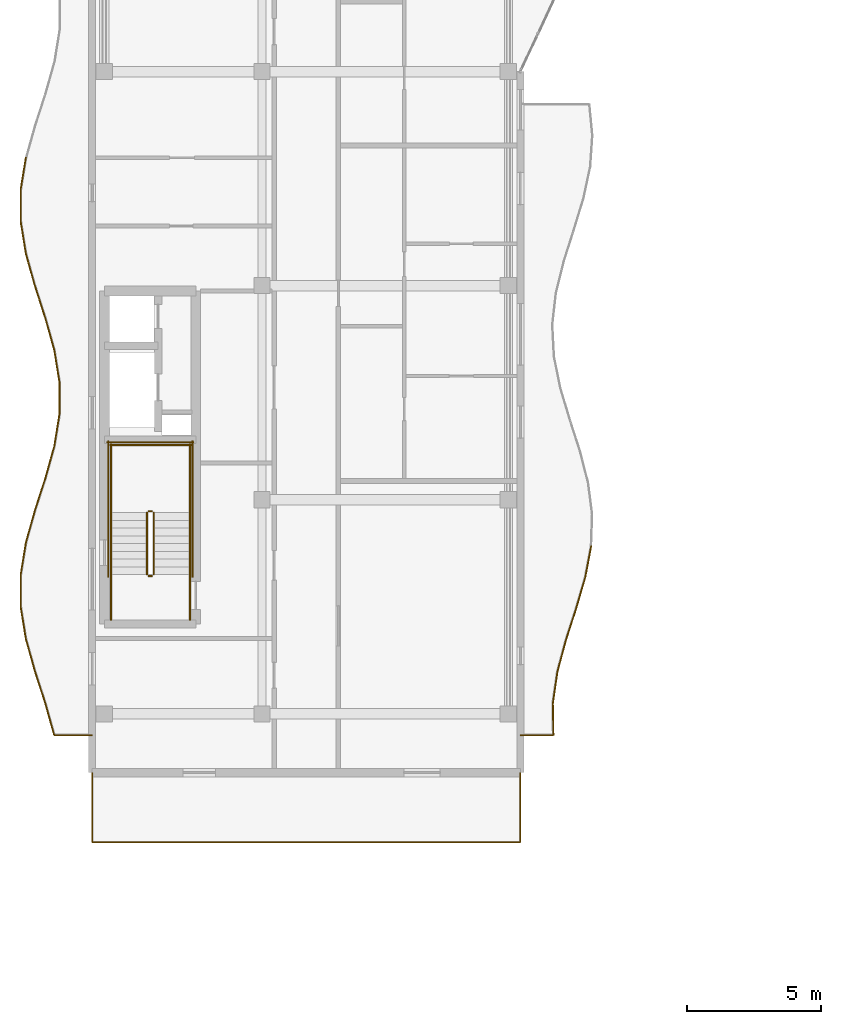
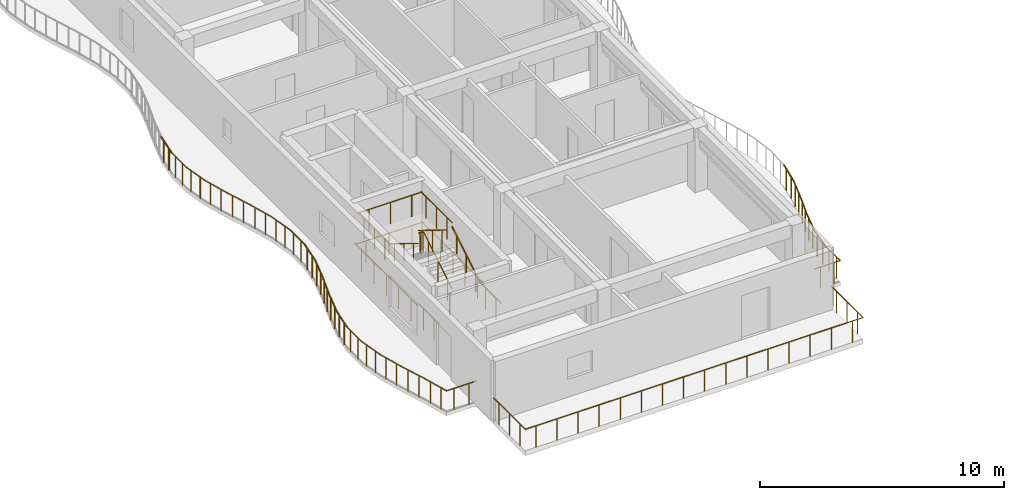
# One storey, part 48 of 71: 43 railings.
"""IFC4 building model written with IfcOpenShell, lengths in metres."""

from ifc_helpers import new_model, si_unit, direction, frame, origin, origin_2d, place, context, subcontext, project, spatial, circle, extrude, material, type_object, element, save


model = new_model("IFC4")

# Units and contexts
model_context = context("Model", 3, precision=1e-05, world=origin(), true_north=direction((0.0, 1.0)))
body_context = subcontext(model_context, "Body", "Model", "MODEL_VIEW")
ifc_project = project(units=[si_unit("LENGTHUNIT", "METRE"), si_unit("AREAUNIT", "SQUARE_METRE"), si_unit("VOLUMEUNIT", "CUBIC_METRE"), si_unit("PLANEANGLEUNIT", "RADIAN"), si_unit("MASSUNIT", "GRAM", prefix="KILO")], contexts=[model_context])

# Site, building, storey
site_placement = place(None, origin())
site = spatial("IfcSite", under=ifc_project, at=site_placement, CompositionType="ELEMENT")
building_placement = place(site_placement, origin())
building = spatial("IfcBuilding", under=site, at=building_placement, Name="Keldmere Railside Commons", CompositionType="ELEMENT")
storey_placement = place(building_placement, frame((0.0, 0.0, 20.159912109375)))
storey = spatial("IfcBuildingStorey", under=building, at=storey_placement, Name="L06", CompositionType="ELEMENT", Elevation=20.159912109375)

# Railings
ifc_material = material(Name="Steel F-24 (S235)", Category="steel")
railing_type_1 = type_object("IfcRailingType", Name="Balcony & Terrace Steel Balustrade 1100", PredefinedType="BALUSTRADE", material=ifc_material)
railing_1_placement = place(storey_placement, frame((24.0, 63.199951171875, 0.0)))
element("IfcRailing", 1, at=railing_1_placement, inside=storey, type_object=railing_type_1, Name="GR-1 GRD-L06-0612", PredefinedType="BALUSTRADE", context=body_context, shape_type="SweptSolid", body=[
    extrude(circle(Radius=0.02392578125, at=origin_2d()), frame((0.0, 0.0, 1.076171875), z_axis=(1.0, 0.0, 0.0), x_axis=(0.0, 1.0, 0.0)), (0.0, 0.0, 1.0), 1.236328125),
    extrude(circle(Radius=0.02099609375, at=origin_2d()), frame((0.30908203125, 0.0, 0.0)), (0.0, 0.0, 1.0), 1.048095703125),
    extrude(circle(Radius=0.02099609375, at=origin_2d()), frame((0.92724609375, 0.0, 0.0)), (0.0, 0.0, 1.0), 1.048095703125),
])
railing_2_placement = place(storey_placement, frame((25.236328125, 63.199951171875, 0.0)))
element("IfcRailing", 2, at=railing_2_placement, inside=storey, type_object=railing_type_1, Name="GR-1 GRD-L06-0613", PredefinedType="BALUSTRADE", context=body_context, shape_type="SweptSolid", body=[
    extrude(circle(Radius=0.02392578125, at=origin_2d()), frame((0.0, 0.0, 1.076171875), z_axis=(-0.01779151413, 0.999841718486, 0.0), x_axis=(-0.999841718486, -0.01779151413, 0.0)), (0.0, 0.0, 1.0), 1.18017578125),
    extrude(circle(Radius=0.02099609375, at=origin_2d()), frame((-0.00537109375, 0.294921875, 0.0)), (0.0, 0.0, 1.0), 1.048095703125),
    extrude(circle(Radius=0.02099609375, at=origin_2d()), frame((-0.015625, 0.885009765625, 0.0)), (0.0, 0.0, 1.0), 1.048095703125),
])
railing_3_placement = place(storey_placement, frame((25.21533203125, 64.3798828125, 0.0)))
element("IfcRailing", 3, at=railing_3_placement, inside=storey, type_object=railing_type_1, Name="GR-1 GRD-L06-0614", PredefinedType="BALUSTRADE", context=body_context, shape_type="SweptSolid", body=[
    extrude(circle(Radius=0.02392578125, at=origin_2d()), frame((0.0, 0.0, 1.076171875), z_axis=(0.142109344267, 0.989850965687, 0.0), x_axis=(-0.989850965687, 0.142109344267, 0.0)), (0.0, 0.0, 1.0), 1.1923828125),
    extrude(circle(Radius=0.02099609375, at=origin_2d()), frame((0.04248046875, 0.294921875, 0.0)), (0.0, 0.0, 1.0), 1.048095703125),
    extrude(circle(Radius=0.02099609375, at=origin_2d()), frame((0.126953125, 0.88525390625, 0.0)), (0.0, 0.0, 1.0), 1.048095703125),
])
railing_4_placement = place(storey_placement, frame((25.384765625, 65.56005859375, 0.0)))
element("IfcRailing", 4, at=railing_4_placement, inside=storey, type_object=railing_type_1, Name="GR-1 GRD-L06-0615", PredefinedType="BALUSTRADE", context=body_context, shape_type="SweptSolid", body=[
    extrude(circle(Radius=0.02392578125, at=origin_2d()), frame((0.0, 0.0, 1.076171875), z_axis=(0.25881933469, 0.965925748694, 0.0), x_axis=(-0.965925748694, 0.25881933469, 0.0)), (0.0, 0.0, 1.0), 1.221435546875),
    extrude(circle(Radius=0.02099609375, at=origin_2d()), frame((0.0791015625, 0.294921875, 0.0)), (0.0, 0.0, 1.0), 1.048095703125),
    extrude(circle(Radius=0.02099609375, at=origin_2d()), frame((0.237060546875, 0.885009765625, 0.0)), (0.0, 0.0, 1.0), 1.048095703125),
])
railing_5_placement = place(storey_placement, frame((25.700927734375, 66.739990234375, 0.0)))
element("IfcRailing", 5, at=railing_5_placement, inside=storey, type_object=railing_type_1, Name="GR-1 GRD-L06-0616", PredefinedType="BALUSTRADE", context=body_context, shape_type="SweptSolid", body=[
    extrude(circle(Radius=0.02392578125, at=origin_2d()), frame((0.0, 0.0, 1.076171875), z_axis=(0.306997026387, 0.951710473721, 0.0), x_axis=(-0.951710473721, 0.306997026387, 0.0)), (0.0, 0.0, 1.0), 1.23974609375),
    extrude(circle(Radius=0.02099609375, at=origin_2d()), frame((0.09521484375, 0.294921875, 0.0)), (0.0, 0.0, 1.0), 1.048095703125),
    extrude(circle(Radius=0.02099609375, at=origin_2d()), frame((0.285400390625, 0.885009765625, 0.0)), (0.0, 0.0, 1.0), 1.048095703125),
])
railing_6_placement = place(storey_placement, frame((26.08154296875, 67.919921875, 0.0)))
element("IfcRailing", 6, at=railing_6_placement, inside=storey, type_object=railing_type_1, Name="GR-1 GRD-L06-0617", PredefinedType="BALUSTRADE", context=body_context, shape_type="SweptSolid", body=[
    extrude(circle(Radius=0.02392578125, at=origin_2d()), frame((0.0, 0.0, 1.076171875), z_axis=(0.281661203033, 0.959513922101, 0.0), x_axis=(-0.959513922101, 0.281661203033, 0.0)), (0.0, 0.0, 1.0), 1.22998046875),
    extrude(circle(Radius=0.02099609375, at=origin_2d()), frame((0.086669921875, 0.294921875, 0.0)), (0.0, 0.0, 1.0), 1.048095703125),
    extrude(circle(Radius=0.02099609375, at=origin_2d()), frame((0.259765625, 0.88525390625, 0.0)), (0.0, 0.0, 1.0), 1.048095703125),
])
railing_7_placement = place(storey_placement, frame((26.427978515625, 69.10009765625, 0.0)))
element("IfcRailing", 7, at=railing_7_placement, inside=storey, type_object=railing_type_1, Name="GR-1 GRD-L06-0618", PredefinedType="BALUSTRADE", context=body_context, shape_type="SweptSolid", body=[
    extrude(circle(Radius=0.02392578125, at=origin_2d()), frame((0.0, 0.0, 1.076171875), z_axis=(0.185430085532, 0.98265745984, 0.0), x_axis=(-0.98265745984, 0.185430085532, 0.0)), (0.0, 0.0, 1.0), 1.20068359375),
    extrude(circle(Radius=0.02099609375, at=origin_2d()), frame((0.0556640625, 0.294921875, 0.0)), (0.0, 0.0, 1.0), 1.048095703125),
    extrude(circle(Radius=0.02099609375, at=origin_2d()), frame((0.1669921875, 0.885009765625, 0.0)), (0.0, 0.0, 1.0), 1.048095703125),
])
railing_8_placement = place(storey_placement, frame((8.0, 63.199951171875, 0.0)))
element("IfcRailing", 8, at=railing_8_placement, inside=storey, type_object=railing_type_1, Name="GR-1 GRD-L06-0634", PredefinedType="BALUSTRADE", context=body_context, shape_type="SweptSolid", body=[
    extrude(circle(Radius=0.02392578125, at=origin_2d()), frame((0.0, 0.0, 1.076171875), z_axis=(-1.0, 0.0, 0.0), x_axis=(0.0, -1.0, 0.0)), (0.0, 0.0, 1.0), 1.4208984375),
    extrude(circle(Radius=0.02099609375, at=origin_2d()), frame((-0.355224609375, 0.0, 0.0)), (0.0, 0.0, 1.0), 1.048095703125),
    extrude(circle(Radius=0.02099609375, at=origin_2d()), frame((-1.065673828125, 0.0, 0.0)), (0.0, 0.0, 1.0), 1.048095703125),
])
railing_9_placement = place(storey_placement, frame((6.5791015625, 63.199951171875, 0.0)))
element("IfcRailing", 9, at=railing_9_placement, inside=storey, type_object=railing_type_1, Name="GR-1 GRD-L06-0635", PredefinedType="BALUSTRADE", context=body_context, shape_type="SweptSolid", body=[
    extrude(circle(Radius=0.02392578125, at=origin_2d()), frame((0.0, 0.0, 1.076171875), z_axis=(-0.270138516063, 0.962821469505, 0.0), x_axis=(-0.962821469505, -0.270138516063, 0.0)), (0.0, 0.0, 1.0), 1.246337890625),
    extrude(circle(Radius=0.02099609375, at=origin_2d()), frame((-0.084228515625, 0.300048828125, 0.0)), (0.0, 0.0, 1.0), 1.048095703125),
    extrude(circle(Radius=0.02099609375, at=origin_2d()), frame((-0.25244140625, 0.89990234375, 0.0)), (0.0, 0.0, 1.0), 1.048095703125),
])
railing_10_placement = place(storey_placement, frame((6.242431640625, 64.39990234375, 0.0)))
element("IfcRailing", 10, at=railing_10_placement, inside=storey, type_object=railing_type_1, Name="GR-1 GRD-L06-0636", PredefinedType="BALUSTRADE", context=body_context, shape_type="SweptSolid", body=[
    extrude(circle(Radius=0.02392578125, at=origin_2d()), frame((0.0, 0.0, 1.076171875), z_axis=(-0.307737834048, 0.95147119005, 0.0), x_axis=(-0.95147119005, -0.307737834048, 0.0)), (0.0, 0.0, 1.0), 1.261474609375),
    extrude(circle(Radius=0.02099609375, at=origin_2d()), frame((-0.09716796875, 0.300048828125, 0.0)), (0.0, 0.0, 1.0), 1.048095703125),
    extrude(circle(Radius=0.02099609375, at=origin_2d()), frame((-0.291015625, 0.900146484375, 0.0)), (0.0, 0.0, 1.0), 1.048095703125),
])
railing_11_placement = place(storey_placement, frame((5.854248046875, 65.60009765625, 0.0)))
element("IfcRailing", 11, at=railing_11_placement, inside=storey, type_object=railing_type_1, Name="GR-1 GRD-L06-0637", PredefinedType="BALUSTRADE", context=body_context, shape_type="SweptSolid", body=[
    extrude(circle(Radius=0.02392578125, at=origin_2d()), frame((0.0, 0.0, 1.076171875), z_axis=(-0.269411889025, 0.963025043315, 0.0), x_axis=(-0.963025043315, -0.269411889025, 0.0)), (0.0, 0.0, 1.0), 1.24609375),
    extrude(circle(Radius=0.02099609375, at=origin_2d()), frame((-0.083984375, 0.300048828125, 0.0)), (0.0, 0.0, 1.0), 1.048095703125),
    extrude(circle(Radius=0.02099609375, at=origin_2d()), frame((-0.251708984375, 0.89990234375, 0.0)), (0.0, 0.0, 1.0), 1.048095703125),
])
railing_12_placement = place(storey_placement, frame((5.5185546875, 66.800048828125, 0.0)))
element("IfcRailing", 12, at=railing_12_placement, inside=storey, type_object=railing_type_1, Name="GR-1 GRD-L06-0638", PredefinedType="BALUSTRADE", context=body_context, shape_type="SweptSolid", body=[
    extrude(circle(Radius=0.02392578125, at=origin_2d()), frame((0.0, 0.0, 1.076171875), z_axis=(-0.159087184931, 0.987264537797, 0.0), x_axis=(-0.987264537797, -0.159087184931, 0.0)), (0.0, 0.0, 1.0), 1.21533203125),
    extrude(circle(Radius=0.02099609375, at=origin_2d()), frame((-0.04833984375, 0.300048828125, 0.0)), (0.0, 0.0, 1.0), 1.048095703125),
    extrude(circle(Radius=0.02099609375, at=origin_2d()), frame((-0.14501953125, 0.89990234375, 0.0)), (0.0, 0.0, 1.0), 1.048095703125),
])
railing_13_placement = place(storey_placement, frame((5.3251953125, 68.0, 0.0)))
element("IfcRailing", 13, at=railing_13_placement, inside=storey, type_object=railing_type_1, Name="GR-1 GRD-L06-0639", PredefinedType="BALUSTRADE", context=body_context, shape_type="SweptSolid", body=[
    extrude(circle(Radius=0.02392578125, at=origin_2d()), frame((0.0, 0.0, 1.076171875), z_axis=(0.000610376285, 0.99999981372, 0.0), x_axis=(-0.99999981372, 0.000610376285, 0.0)), (0.0, 0.0, 1.0), 1.199951171875),
    extrude(circle(Radius=0.02099609375, at=origin_2d()), frame((0.000244140625, 0.300048828125, 0.0)), (0.0, 0.0, 1.0), 1.048095703125),
    extrude(circle(Radius=0.02099609375, at=origin_2d()), frame((0.00048828125, 0.89990234375, 0.0)), (0.0, 0.0, 1.0), 1.048095703125),
])
railing_14_placement = place(storey_placement, frame((5.325927734375, 69.199951171875, 0.0)))
element("IfcRailing", 14, at=railing_14_placement, inside=storey, type_object=railing_type_1, Name="GR-1 GRD-L06-0640", PredefinedType="BALUSTRADE", context=body_context, shape_type="SweptSolid", body=[
    extrude(circle(Radius=0.02392578125, at=origin_2d()), frame((0.0, 0.0, 1.076171875), z_axis=(0.160261550054, 0.987074584606, 0.0), x_axis=(-0.987074584606, 0.160261550054, 0.0)), (0.0, 0.0, 1.0), 1.215576171875),
    extrude(circle(Radius=0.02099609375, at=origin_2d()), frame((0.048828125, 0.300048828125, 0.0)), (0.0, 0.0, 1.0), 1.048095703125),
    extrude(circle(Radius=0.02099609375, at=origin_2d()), frame((0.14599609375, 0.89990234375, 0.0)), (0.0, 0.0, 1.0), 1.048095703125),
])
railing_15_placement = place(storey_placement, frame((5.520751953125, 70.39990234375, 0.0)))
element("IfcRailing", 15, at=railing_15_placement, inside=storey, type_object=railing_type_1, Name="GR-1 GRD-L06-0641", PredefinedType="BALUSTRADE", context=body_context, shape_type="SweptSolid", body=[
    extrude(circle(Radius=0.02392578125, at=origin_2d()), frame((0.0, 0.0, 1.076171875), z_axis=(0.270087574081, 0.962835760827, 0.0), x_axis=(-0.962835760827, 0.270087574081, 0.0)), (0.0, 0.0, 1.0), 1.24658203125),
    extrude(circle(Radius=0.02099609375, at=origin_2d()), frame((0.084228515625, 0.300048828125, 0.0)), (0.0, 0.0, 1.0), 1.048095703125),
    extrude(circle(Radius=0.02099609375, at=origin_2d()), frame((0.25244140625, 0.900146484375, 0.0)), (0.0, 0.0, 1.0), 1.048095703125),
])
railing_16_placement = place(storey_placement, frame((5.857421875, 71.60009765625, 0.0)))
element("IfcRailing", 16, at=railing_16_placement, inside=storey, type_object=railing_type_1, Name="GR-1 GRD-L06-0642", PredefinedType="BALUSTRADE", context=body_context, shape_type="SweptSolid", body=[
    extrude(circle(Radius=0.02392578125, at=origin_2d()), frame((0.0, 0.0, 1.076171875), z_axis=(0.307794514865, 0.9514528557, 0.0), x_axis=(-0.9514528557, 0.307794514865, 0.0)), (0.0, 0.0, 1.0), 1.26123046875),
    extrude(circle(Radius=0.02099609375, at=origin_2d()), frame((0.09716796875, 0.300048828125, 0.0)), (0.0, 0.0, 1.0), 1.048095703125),
    extrude(circle(Radius=0.02099609375, at=origin_2d()), frame((0.291015625, 0.89990234375, 0.0)), (0.0, 0.0, 1.0), 1.048095703125),
])
railing_17_placement = place(storey_placement, frame((6.24560546875, 72.800048828125, 0.0)))
element("IfcRailing", 17, at=railing_17_placement, inside=storey, type_object=railing_type_1, Name="GR-1 GRD-L06-0643", PredefinedType="BALUSTRADE", context=body_context, shape_type="SweptSolid", body=[
    extrude(circle(Radius=0.02392578125, at=origin_2d()), frame((0.0, 0.0, 1.076171875), z_axis=(0.269593588983, 0.962974193205, 0.0), x_axis=(-0.962974193205, 0.269593588983, 0.0)), (0.0, 0.0, 1.0), 1.24609375),
    extrude(circle(Radius=0.02099609375, at=origin_2d()), frame((0.083984375, 0.300048828125, 0.0)), (0.0, 0.0, 1.0), 1.048095703125),
    extrude(circle(Radius=0.02099609375, at=origin_2d()), frame((0.251953125, 0.89990234375, 0.0)), (0.0, 0.0, 1.0), 1.048095703125),
])
railing_18_placement = place(storey_placement, frame((6.58154296875, 74.0, 0.0)))
element("IfcRailing", 18, at=railing_18_placement, inside=storey, type_object=railing_type_1, Name="GR-1 GRD-L06-0644", PredefinedType="BALUSTRADE", context=body_context, shape_type="SweptSolid", body=[
    extrude(circle(Radius=0.02392578125, at=origin_2d()), frame((0.0, 0.0, 1.076171875), z_axis=(0.159087184931, 0.987264537797, 0.0), x_axis=(-0.987264537797, 0.159087184931, 0.0)), (0.0, 0.0, 1.0), 1.21533203125),
    extrude(circle(Radius=0.02099609375, at=origin_2d()), frame((0.04833984375, 0.300048828125, 0.0)), (0.0, 0.0, 1.0), 1.048095703125),
    extrude(circle(Radius=0.02099609375, at=origin_2d()), frame((0.14501953125, 0.89990234375, 0.0)), (0.0, 0.0, 1.0), 1.048095703125),
])
railing_19_placement = place(storey_placement, frame((6.77490234375, 75.199951171875, 0.0)))
element("IfcRailing", 19, at=railing_19_placement, inside=storey, type_object=railing_type_1, Name="GR-1 GRD-L06-0645", PredefinedType="BALUSTRADE", context=body_context, shape_type="SweptSolid", body=[
    extrude(circle(Radius=0.02392578125, at=origin_2d()), frame((0.0, 0.0, 1.076171875), z_axis=(-0.000813834929, 0.999999668836, 0.0), x_axis=(-0.999999668836, -0.000813834929, 0.0)), (0.0, 0.0, 1.0), 1.199951171875),
    extrude(circle(Radius=0.02099609375, at=origin_2d()), frame((-0.000244140625, 0.300048828125, 0.0)), (0.0, 0.0, 1.0), 1.048095703125),
    extrude(circle(Radius=0.02099609375, at=origin_2d()), frame((-0.000732421875, 0.89990234375, 0.0)), (0.0, 0.0, 1.0), 1.048095703125),
])
railing_20_placement = place(storey_placement, frame((6.77392578125, 76.39990234375, 0.0)))
element("IfcRailing", 20, at=railing_20_placement, inside=storey, type_object=railing_type_1, Name="GR-1 GRD-L06-0646", PredefinedType="BALUSTRADE", context=body_context, shape_type="SweptSolid", body=[
    extrude(circle(Radius=0.02392578125, at=origin_2d()), frame((0.0, 0.0, 1.076171875), z_axis=(-0.160229787106, 0.987079741117, 0.0), x_axis=(-0.987079741117, -0.160229787106, 0.0)), (0.0, 0.0, 1.0), 1.2158203125),
    extrude(circle(Radius=0.02099609375, at=origin_2d()), frame((-0.048828125, 0.300048828125, 0.0)), (0.0, 0.0, 1.0), 1.048095703125),
    extrude(circle(Radius=0.02099609375, at=origin_2d()), frame((-0.14599609375, 0.900146484375, 0.0)), (0.0, 0.0, 1.0), 1.048095703125),
])
railing_21_placement = place(storey_placement, frame((6.5791015625, 77.60009765625, 0.0)))
element("IfcRailing", 21, at=railing_21_placement, inside=storey, type_object=railing_type_1, Name="GR-1 GRD-L06-0647", PredefinedType="BALUSTRADE", context=body_context, shape_type="SweptSolid", body=[
    extrude(circle(Radius=0.02392578125, at=origin_2d()), frame((0.0, 0.0, 1.076171875), z_axis=(-0.270138516063, 0.962821469505, 0.0), x_axis=(-0.962821469505, -0.270138516063, 0.0)), (0.0, 0.0, 1.0), 1.246337890625),
    extrude(circle(Radius=0.02099609375, at=origin_2d()), frame((-0.084228515625, 0.300048828125, 0.0)), (0.0, 0.0, 1.0), 1.048095703125),
    extrude(circle(Radius=0.02099609375, at=origin_2d()), frame((-0.25244140625, 0.89990234375, 0.0)), (0.0, 0.0, 1.0), 1.048095703125),
])
railing_22_placement = place(storey_placement, frame((6.242431640625, 78.800048828125, 0.0)))
element("IfcRailing", 22, at=railing_22_placement, inside=storey, type_object=railing_type_1, Name="GR-1 GRD-L06-0648", PredefinedType="BALUSTRADE", context=body_context, shape_type="SweptSolid", body=[
    extrude(circle(Radius=0.02392578125, at=origin_2d()), frame((0.0, 0.0, 1.076171875), z_axis=(-0.307794514865, 0.9514528557, 0.0), x_axis=(-0.9514528557, -0.307794514865, 0.0)), (0.0, 0.0, 1.0), 1.26123046875),
    extrude(circle(Radius=0.02099609375, at=origin_2d()), frame((-0.09716796875, 0.300048828125, 0.0)), (0.0, 0.0, 1.0), 1.048095703125),
    extrude(circle(Radius=0.02099609375, at=origin_2d()), frame((-0.291015625, 0.89990234375, 0.0)), (0.0, 0.0, 1.0), 1.048095703125),
])
railing_23_placement = place(storey_placement, frame((5.854248046875, 80.0, 0.0)))
element("IfcRailing", 23, at=railing_23_placement, inside=storey, type_object=railing_type_1, Name="GR-1 GRD-L06-0649", PredefinedType="BALUSTRADE", context=body_context, shape_type="SweptSolid", body=[
    extrude(circle(Radius=0.02392578125, at=origin_2d()), frame((0.0, 0.0, 1.076171875), z_axis=(-0.269411889025, 0.963025043315, 0.0), x_axis=(-0.963025043315, -0.269411889025, 0.0)), (0.0, 0.0, 1.0), 1.24609375),
    extrude(circle(Radius=0.02099609375, at=origin_2d()), frame((-0.083984375, 0.300048828125, 0.0)), (0.0, 0.0, 1.0), 1.048095703125),
    extrude(circle(Radius=0.02099609375, at=origin_2d()), frame((-0.251708984375, 0.89990234375, 0.0)), (0.0, 0.0, 1.0), 1.048095703125),
])
railing_24_placement = place(storey_placement, frame((5.5185546875, 81.199951171875, 0.0)))
element("IfcRailing", 24, at=railing_24_placement, inside=storey, type_object=railing_type_1, Name="GR-1 GRD-L06-0650", PredefinedType="BALUSTRADE", context=body_context, shape_type="SweptSolid", body=[
    extrude(circle(Radius=0.02392578125, at=origin_2d()), frame((0.0, 0.0, 1.076171875), z_axis=(-0.159087184931, 0.987264537797, 0.0), x_axis=(-0.987264537797, -0.159087184931, 0.0)), (0.0, 0.0, 1.0), 1.21533203125),
    extrude(circle(Radius=0.02099609375, at=origin_2d()), frame((-0.04833984375, 0.300048828125, 0.0)), (0.0, 0.0, 1.0), 1.048095703125),
    extrude(circle(Radius=0.02099609375, at=origin_2d()), frame((-0.14501953125, 0.89990234375, 0.0)), (0.0, 0.0, 1.0), 1.048095703125),
])
railing_25_placement = place(storey_placement, frame((5.3251953125, 82.39990234375, 0.0)))
element("IfcRailing", 25, at=railing_25_placement, inside=storey, type_object=railing_type_1, Name="GR-1 GRD-L06-0651", PredefinedType="BALUSTRADE", context=body_context, shape_type="SweptSolid", body=[
    extrude(circle(Radius=0.02392578125, at=origin_2d()), frame((0.0, 0.0, 1.076171875), z_axis=(0.000610252124, 0.999999813796, 0.0), x_axis=(-0.999999813796, 0.000610252124, 0.0)), (0.0, 0.0, 1.0), 1.2001953125),
    extrude(circle(Radius=0.02099609375, at=origin_2d()), frame((0.000244140625, 0.300048828125, 0.0)), (0.0, 0.0, 1.0), 1.048095703125),
    extrude(circle(Radius=0.02099609375, at=origin_2d()), frame((0.00048828125, 0.900146484375, 0.0)), (0.0, 0.0, 1.0), 1.048095703125),
])
railing_26_placement = place(storey_placement, frame((5.325927734375, 83.60009765625, 0.0)))
element("IfcRailing", 26, at=railing_26_placement, inside=storey, type_object=railing_type_1, Name="GR-1 GRD-L06-0652", PredefinedType="BALUSTRADE", context=body_context, shape_type="SweptSolid", body=[
    extrude(circle(Radius=0.02392578125, at=origin_2d()), frame((0.0, 0.0, 1.076171875), z_axis=(0.160261550054, 0.987074584606, 0.0), x_axis=(-0.987074584606, 0.160261550054, 0.0)), (0.0, 0.0, 1.0), 1.215576171875),
    extrude(circle(Radius=0.02099609375, at=origin_2d()), frame((0.048828125, 0.300048828125, 0.0)), (0.0, 0.0, 1.0), 1.048095703125),
    extrude(circle(Radius=0.02099609375, at=origin_2d()), frame((0.14599609375, 0.89990234375, 0.0)), (0.0, 0.0, 1.0), 1.048095703125),
])
railing_27_placement = place(storey_placement, frame((8.0, 61.800048828125, 0.0)))
element("IfcRailing", 27, at=railing_27_placement, inside=storey, type_object=railing_type_1, Name="GR-1 GRD-L06-0688", PredefinedType="BALUSTRADE", context=body_context, shape_type="SweptSolid", body=[
    extrude(circle(Radius=0.02392578125, at=origin_2d()), frame((0.0, 0.0, 1.076171875), z_axis=(0.0, -1.0, 0.0), x_axis=(1.0, 0.0, 0.0)), (0.0, 0.0, 1.0), 2.60009765625),
    extrude(circle(Radius=0.02099609375, at=origin_2d()), frame((0.0, -0.433349609375, 0.0)), (0.0, 0.0, 1.0), 1.048095703125),
    extrude(circle(Radius=0.02099609375, at=origin_2d()), frame((0.0, -1.300048828125, 0.0)), (0.0, 0.0, 1.0), 1.048095703125),
    extrude(circle(Radius=0.02099609375, at=origin_2d()), frame((0.0, -2.166748046875, 0.0)), (0.0, 0.0, 1.0), 1.048095703125),
])
railing_28_placement = place(storey_placement, frame((8.0, 59.199951171875, 0.0)))
element("IfcRailing", 28, at=railing_28_placement, inside=storey, type_object=railing_type_1, Name="GR-1 GRD-L06-0689", PredefinedType="BALUSTRADE", context=body_context, shape_type="SweptSolid", body=[
    extrude(circle(Radius=0.02392578125, at=origin_2d()), frame((0.0, 0.0, 1.076171875), z_axis=(1.0, 0.0, 0.0), x_axis=(0.0, 1.0, 0.0)), (0.0, 0.0, 1.0), 16.0),
    extrude(circle(Radius=0.02099609375, at=origin_2d()), frame((0.5, 0.0, 0.0)), (0.0, 0.0, 1.0), 1.048095703125),
    extrude(circle(Radius=0.02099609375, at=origin_2d()), frame((1.5, 0.0, 0.0)), (0.0, 0.0, 1.0), 1.048095703125),
    extrude(circle(Radius=0.02099609375, at=origin_2d()), frame((2.5, 0.0, 0.0)), (0.0, 0.0, 1.0), 1.048095703125),
    extrude(circle(Radius=0.02099609375, at=origin_2d()), frame((3.5, 0.0, 0.0)), (0.0, 0.0, 1.0), 1.048095703125),
    extrude(circle(Radius=0.02099609375, at=origin_2d()), frame((4.5, 0.0, 0.0)), (0.0, 0.0, 1.0), 1.048095703125),
    extrude(circle(Radius=0.02099609375, at=origin_2d()), frame((5.5, 0.0, 0.0)), (0.0, 0.0, 1.0), 1.048095703125),
    extrude(circle(Radius=0.02099609375, at=origin_2d()), frame((6.5, 0.0, 0.0)), (0.0, 0.0, 1.0), 1.048095703125),
    extrude(circle(Radius=0.02099609375, at=origin_2d()), frame((7.5, 0.0, 0.0)), (0.0, 0.0, 1.0), 1.048095703125),
    extrude(circle(Radius=0.02099609375, at=origin_2d()), frame((8.5, 0.0, 0.0)), (0.0, 0.0, 1.0), 1.048095703125),
    extrude(circle(Radius=0.02099609375, at=origin_2d()), frame((9.5, 0.0, 0.0)), (0.0, 0.0, 1.0), 1.048095703125),
    extrude(circle(Radius=0.02099609375, at=origin_2d()), frame((10.5, 0.0, 0.0)), (0.0, 0.0, 1.0), 1.048095703125),
    extrude(circle(Radius=0.02099609375, at=origin_2d()), frame((11.5, 0.0, 0.0)), (0.0, 0.0, 1.0), 1.048095703125),
    extrude(circle(Radius=0.02099609375, at=origin_2d()), frame((12.5, 0.0, 0.0)), (0.0, 0.0, 1.0), 1.048095703125),
    extrude(circle(Radius=0.02099609375, at=origin_2d()), frame((13.5, 0.0, 0.0)), (0.0, 0.0, 1.0), 1.048095703125),
    extrude(circle(Radius=0.02099609375, at=origin_2d()), frame((14.5, 0.0, 0.0)), (0.0, 0.0, 1.0), 1.048095703125),
    extrude(circle(Radius=0.02099609375, at=origin_2d()), frame((15.5, 0.0, 0.0)), (0.0, 0.0, 1.0), 1.048095703125),
])
railing_29_placement = place(storey_placement, frame((24.0, 59.199951171875, 0.0)))
element("IfcRailing", 29, at=railing_29_placement, inside=storey, type_object=railing_type_1, Name="GR-1 GRD-L06-0690", PredefinedType="BALUSTRADE", context=body_context, shape_type="SweptSolid", body=[
    extrude(circle(Radius=0.02392578125, at=origin_2d()), frame((0.0, 0.0, 1.076171875), z_axis=(0.0, 1.0, 0.0), x_axis=(-1.0, 0.0, 0.0)), (0.0, 0.0, 1.0), 2.60009765625),
    extrude(circle(Radius=0.02099609375, at=origin_2d()), frame((0.0, 0.433349609375, 0.0)), (0.0, 0.0, 1.0), 1.048095703125),
    extrude(circle(Radius=0.02099609375, at=origin_2d()), frame((0.0, 1.300048828125, 0.0)), (0.0, 0.0, 1.0), 1.048095703125),
    extrude(circle(Radius=0.02099609375, at=origin_2d()), frame((0.0, 2.166748046875, 0.0)), (0.0, 0.0, 1.0), 1.048095703125),
])
railing_type_2 = type_object("IfcRailingType", Name="Stair Well Steel Guardrail 1100", PredefinedType="BALUSTRADE", material=ifc_material)
railing_30_placement = place(storey_placement, frame((10.300048828125, 69.199951171875, 0.177978515625)))
element("IfcRailing", 30, at=railing_30_placement, inside=storey, type_object=railing_type_2, Name="L06 ST-D1 stair guard 1", PredefinedType="BALUSTRADE", context=body_context, shape_type="SweptSolid", body=[
    extrude(circle(Radius=0.02392578125, at=origin_2d()), frame((0.0, 0.0, 1.076171875), z_axis=(0.0, 0.852578041948, 0.522599925744), x_axis=(-1.0, 0.0, 0.0)), (0.0, 0.0, 1.0), 2.72119140625),
    extrude(circle(Radius=0.02099609375, at=origin_2d()), frame((0.0, 0.38671875, 0.237060546875)), (0.0, 0.0, 1.0), 1.048095703125),
    extrude(circle(Radius=0.02099609375, at=origin_2d()), frame((0.0, 1.16015625, 0.7109375)), (0.0, 0.0, 1.0), 1.048095703125),
    extrude(circle(Radius=0.02099609375, at=origin_2d()), frame((0.0, 1.933349609375, 1.18505859375)), (0.0, 0.0, 1.0), 1.048095703125),
])
railing_31_placement = place(storey_placement, frame((10.25, 71.570068359375, 1.60009765625)))
element("IfcRailing", 31, at=railing_31_placement, inside=storey, type_object=railing_type_2, Name="L06 ST-D1 stair guard 2", PredefinedType="BALUSTRADE", context=body_context, shape_type="SweptSolid", body=[
    extrude(circle(Radius=0.02392578125, at=origin_2d()), frame((0.0, 0.0, 1.076171875), z_axis=(-1.0, 0.0, 0.0), x_axis=(0.0, -1.0, 0.0)), (0.0, 0.0, 1.0), 0.14990234375),
    extrude(circle(Radius=0.02099609375, at=origin_2d()), frame((-0.074951171875, 0.0, 0.0)), (0.0, 0.0, 1.0), 1.048095703125),
])
for number, where, name in (
    (32, (11.64990234375, 71.52001953125, 1.60009765625), "L06 ST-D1 stair guard 3"),
    (33, (8.699951171875, 71.52001953125, 1.60009765625), "L06 ST-D1 stair guard 4"),
):
    element("IfcRailing", number, at=place(storey_placement, frame(where)), inside=storey, type_object=railing_type_2, Name=name, PredefinedType="BALUSTRADE", context=body_context, shape_type="SweptSolid", body=[
        extrude(circle(Radius=0.02392578125, at=origin_2d()), frame((0.0, 0.0, 1.076171875), z_axis=(0.0, 1.0, 0.0), x_axis=(-1.0, 0.0, 0.0)), (0.0, 0.0, 1.0), 2.580078125),
        extrude(circle(Radius=0.02099609375, at=origin_2d()), frame((0.0, 0.429931640625, 0.0)), (0.0, 0.0, 1.0), 1.048095703125),
        extrude(circle(Radius=0.02099609375, at=origin_2d()), frame((0.0, 1.2900390625, 0.0)), (0.0, 0.0, 1.0), 1.048095703125),
        extrude(circle(Radius=0.02099609375, at=origin_2d()), frame((0.0, 2.150146484375, 0.0)), (0.0, 0.0, 1.0), 1.048095703125),
    ])
railing_32_placement = place(storey_placement, frame((11.699951171875, 74.050048828125, 1.60009765625)))
element("IfcRailing", 34, at=railing_32_placement, inside=storey, type_object=railing_type_2, Name="L06 ST-D1 stair guard 5", PredefinedType="BALUSTRADE", context=body_context, shape_type="SweptSolid", body=[
    extrude(circle(Radius=0.02392578125, at=origin_2d()), frame((0.0, 0.0, 1.076171875), z_axis=(-1.0, 0.0, 0.0), x_axis=(0.0, -1.0, 0.0)), (0.0, 0.0, 1.0), 3.050048828125),
    extrude(circle(Radius=0.02099609375, at=origin_2d()), frame((-0.50830078125, 0.0, 0.0)), (0.0, 0.0, 1.0), 1.048095703125),
    extrude(circle(Radius=0.02099609375, at=origin_2d()), frame((-1.52490234375, 0.0, 0.0)), (0.0, 0.0, 1.0), 1.048095703125),
    extrude(circle(Radius=0.02099609375, at=origin_2d()), frame((-2.541748046875, 0.0, 0.0)), (0.0, 0.0, 1.0), 1.048095703125),
])
railing_33_placement = place(storey_placement, frame((10.050048828125, 71.52001953125, 1.77783203125)))
element("IfcRailing", 35, at=railing_33_placement, inside=storey, type_object=railing_type_2, Name="L06 ST-D1 stair guard 6", PredefinedType="BALUSTRADE", context=body_context, shape_type="SweptSolid", body=[
    extrude(circle(Radius=0.02392578125, at=origin_2d()), frame((0.0, 0.0, 1.076171875), z_axis=(0.0, -0.852538067394, 0.522665135287), x_axis=(1.0, 0.0, 0.0)), (0.0, 0.0, 1.0), 2.721435546875),
    extrude(circle(Radius=0.02099609375, at=origin_2d()), frame((0.0, -0.38671875, 0.237060546875)), (0.0, 0.0, 1.0), 1.048095703125),
    extrude(circle(Radius=0.02099609375, at=origin_2d()), frame((0.0, -1.16015625, 0.711181640625)), (0.0, 0.0, 1.0), 1.048095703125),
    extrude(circle(Radius=0.02099609375, at=origin_2d()), frame((0.0, -1.933349609375, 1.185302734375)), (0.0, 0.0, 1.0), 1.048095703125),
])
railing_34_placement = place(storey_placement, frame((10.25, 69.14990234375, 0.0)))
element("IfcRailing", 36, at=railing_34_placement, inside=storey, type_object=railing_type_2, Name="L06 ST-D1 stair guard 7", PredefinedType="BALUSTRADE", context=body_context, shape_type="SweptSolid", body=[
    extrude(circle(Radius=0.02392578125, at=origin_2d()), frame((0.0, 0.0, 1.076171875), z_axis=(-1.0, 0.0, 0.0), x_axis=(0.0, -1.0, 0.0)), (0.0, 0.0, 1.0), 0.14990234375),
    extrude(circle(Radius=0.02099609375, at=origin_2d()), frame((-0.074951171875, 0.0, 0.0)), (0.0, 0.0, 1.0), 1.048095703125),
])
for number, where, name in (
    (37, (11.64990234375, 67.5, 0.0), "L06 ST-D1 stair guard 8"),
    (38, (8.699951171875, 67.5, 0.0), "L06 ST-D1 stair guard 9"),
):
    element("IfcRailing", number, at=place(storey_placement, frame(where)), inside=storey, type_object=railing_type_2, Name=name, PredefinedType="BALUSTRADE", context=body_context, shape_type="SweptSolid", body=[
        extrude(circle(Radius=0.02392578125, at=origin_2d()), frame((0.0, 0.0, 1.076171875), z_axis=(0.0, 1.0, 0.0), x_axis=(-1.0, 0.0, 0.0)), (0.0, 0.0, 1.0), 1.699951171875),
        extrude(circle(Radius=0.02099609375, at=origin_2d()), frame((0.0, 0.425048828125, 0.0)), (0.0, 0.0, 1.0), 1.048095703125),
        extrude(circle(Radius=0.02099609375, at=origin_2d()), frame((0.0, 1.27490234375, 0.0)), (0.0, 0.0, 1.0), 1.048095703125),
    ])
for number, where, name in (
    (39, (11.75, 69.10009765625, 0.0), "L06 ST-D1 stair guard 10"),
    (40, (8.60009765625, 69.10009765625, 0.0), "L06 ST-D1 stair guard 11"),
):
    element("IfcRailing", number, at=place(storey_placement, frame(where)), inside=storey, type_object=railing_type_2, Name=name, PredefinedType="BALUSTRADE", context=body_context, shape_type="SweptSolid", body=[
        extrude(circle(Radius=0.02392578125, at=origin_2d()), frame((0.0, 0.0, 1.076171875), z_axis=(0.0, 1.0, 0.0), x_axis=(-1.0, 0.0, 0.0)), (0.0, 0.0, 1.0), 5.099853515625),
        extrude(circle(Radius=0.02099609375, at=origin_2d()), frame((0.0, 0.510009765625, 0.0)), (0.0, 0.0, 1.0), 1.048095703125),
        extrude(circle(Radius=0.02099609375, at=origin_2d()), frame((0.0, 1.530029296875, 0.0)), (0.0, 0.0, 1.0), 1.048095703125),
        extrude(circle(Radius=0.02099609375, at=origin_2d()), frame((0.0, 2.5498046875, 0.0)), (0.0, 0.0, 1.0), 1.048095703125),
        extrude(circle(Radius=0.02099609375, at=origin_2d()), frame((0.0, 3.56982421875, 0.0)), (0.0, 0.0, 1.0), 1.048095703125),
        extrude(circle(Radius=0.02099609375, at=origin_2d()), frame((0.0, 4.58984375, 0.0)), (0.0, 0.0, 1.0), 1.048095703125),
    ])
railing_35_placement = place(storey_placement, frame((11.800048828125, 74.14990234375, 0.0)))
element("IfcRailing", 41, at=railing_35_placement, inside=storey, type_object=railing_type_2, Name="L06 ST-D1 stair guard 12", PredefinedType="BALUSTRADE", context=body_context, shape_type="SweptSolid", body=[
    extrude(circle(Radius=0.02392578125, at=origin_2d()), frame((0.0, 0.0, 1.076171875), z_axis=(-1.0, 0.0, 0.0), x_axis=(0.0, -1.0, 0.0)), (0.0, 0.0, 1.0), 3.25),
    extrude(circle(Radius=0.02099609375, at=origin_2d()), frame((-0.541748046875, 0.0, 0.0)), (0.0, 0.0, 1.0), 1.048095703125),
    extrude(circle(Radius=0.02099609375, at=origin_2d()), frame((-1.625, 0.0, 0.0)), (0.0, 0.0, 1.0), 1.048095703125),
    extrude(circle(Radius=0.02099609375, at=origin_2d()), frame((-2.708251953125, 0.0, 0.0)), (0.0, 0.0, 1.0), 1.048095703125),
])
railing_type_3 = type_object("IfcRailingType", Name="Wall-Mounted Tubular Steel Handrail 900", PredefinedType="HANDRAIL", material=ifc_material)
railing_36_placement = place(storey_placement, frame((11.64990234375, 69.199951171875, 0.177978515625)))
element("IfcRailing", 42, at=railing_36_placement, inside=storey, type_object=railing_type_3, Name="L06 ST-D1 stair handrail 1", PredefinedType="HANDRAIL", context=body_context, shape_type="SweptSolid", body=[
    extrude(circle(Radius=0.02392578125, at=origin_2d()), frame((0.0, 0.0, 0.8759765625), z_axis=(0.0, 0.852578041948, 0.522599925744), x_axis=(-1.0, 0.0, 0.0)), (0.0, 0.0, 1.0), 2.72119140625),
    extrude(circle(Radius=0.02099609375, at=origin_2d()), frame((0.0, 0.38671875, 0.237060546875)), (0.0, 0.0, 1.0), 0.847900390625),
    extrude(circle(Radius=0.02099609375, at=origin_2d()), frame((0.0, 1.16015625, 0.7109375)), (0.0, 0.0, 1.0), 0.847900390625),
    extrude(circle(Radius=0.02099609375, at=origin_2d()), frame((0.0, 1.933349609375, 1.18505859375)), (0.0, 0.0, 1.0), 0.847900390625),
])
railing_37_placement = place(storey_placement, frame((8.699951171875, 71.52001953125, 1.77783203125)))
element("IfcRailing", 43, at=railing_37_placement, inside=storey, type_object=railing_type_3, Name="L06 ST-D1 stair handrail 2", PredefinedType="HANDRAIL", context=body_context, shape_type="SweptSolid", body=[
    extrude(circle(Radius=0.02392578125, at=origin_2d()), frame((0.0, 0.0, 0.8759765625), z_axis=(0.0, -0.852538067394, 0.522665135287), x_axis=(1.0, 0.0, 0.0)), (0.0, 0.0, 1.0), 2.721435546875),
    extrude(circle(Radius=0.02099609375, at=origin_2d()), frame((0.0, -0.38671875, 0.237060546875)), (0.0, 0.0, 1.0), 0.847900390625),
    extrude(circle(Radius=0.02099609375, at=origin_2d()), frame((0.0, -1.16015625, 0.711181640625)), (0.0, 0.0, 1.0), 0.847900390625),
    extrude(circle(Radius=0.02099609375, at=origin_2d()), frame((0.0, -1.933349609375, 1.185302734375)), (0.0, 0.0, 1.0), 0.847900390625),
])

save(model, "model.ifc")
